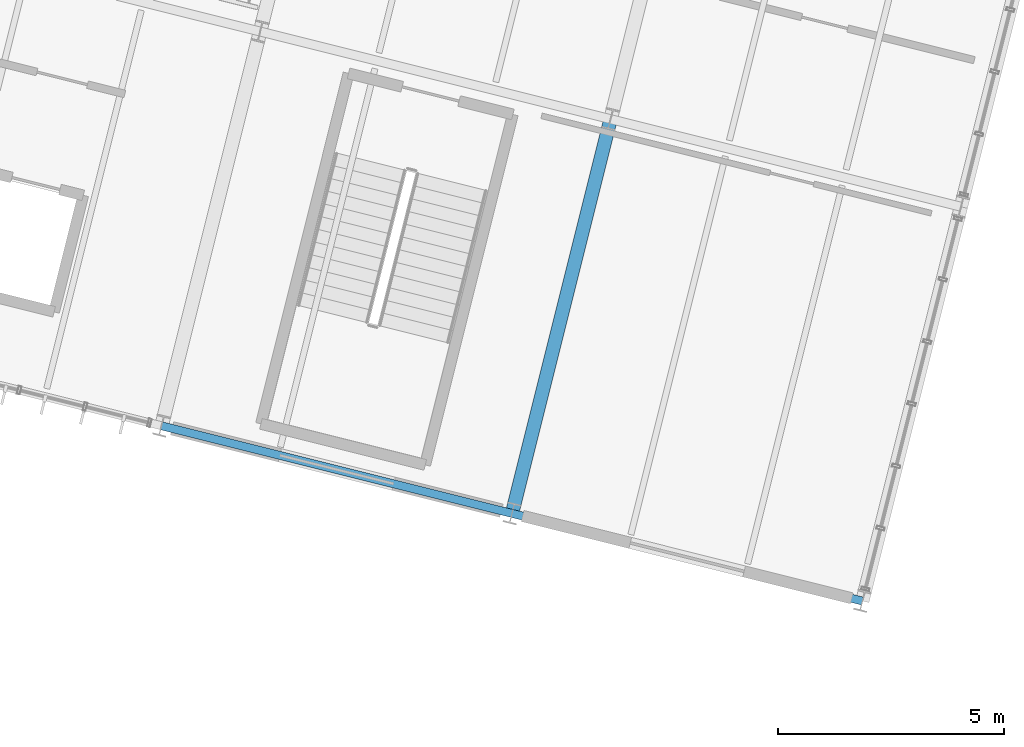
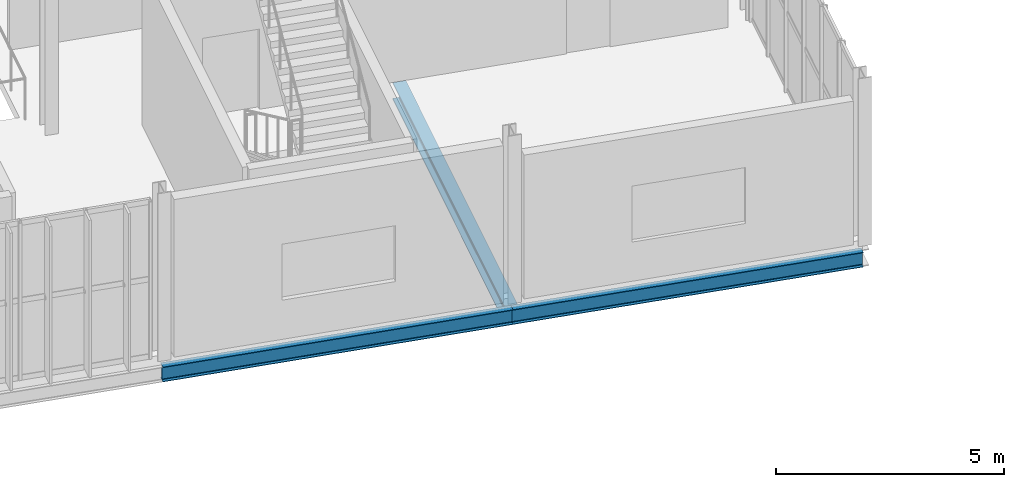
# One storey, part 95 of 152: 3 beams.
"""IFC4 building model written with IfcOpenShell, lengths in metres."""

from ifc_helpers import new_model, si_unit, derived_unit, direction, frame, origin, origin_2d, place, context, subcontext, project, spatial, i_section, extrude, material, material_profile, profile_set, type_object, element, save


model = new_model("IFC4")

# Units and contexts
model_context = context("Model", 3, precision=1e-05, world=origin(), true_north=direction((0.0, 1.0)))
body_context = subcontext(model_context, "Body", "Model", "MODEL_VIEW")
ifc_project = project(units=[si_unit("LENGTHUNIT", "METRE"), si_unit("AREAUNIT", "SQUARE_METRE"), si_unit("VOLUMEUNIT", "CUBIC_METRE"), si_unit("PLANEANGLEUNIT", "RADIAN"), si_unit("MASSUNIT", "GRAM", prefix="KILO"), si_unit("THERMODYNAMICTEMPERATUREUNIT", "KELVIN"), si_unit("TIMEUNIT", "SECOND"), derived_unit("THERMALTRANSMITTANCEUNIT", [(si_unit("MASSUNIT", "GRAM", prefix="KILO"), 1), (si_unit("THERMODYNAMICTEMPERATUREUNIT", "KELVIN"), -1), (si_unit("TIMEUNIT", "SECOND"), -3)])], contexts=[model_context])

# Site, building, storey
site_placement = place(None, origin())
site = spatial("IfcSite", under=ifc_project, at=site_placement, CompositionType="ELEMENT")
building_placement = place(site_placement, origin())
building = spatial("IfcBuilding", under=site, at=building_placement, Name="Cambertide Market Hall", CompositionType="ELEMENT")
storey_placement = place(building_placement, frame((0.0, 0.0, 5.39990234375)))
storey = spatial("IfcBuildingStorey", under=building, at=storey_placement, Name="L02", CompositionType="ELEMENT", Elevation=5.39990234375)

# Beams
ifc_material_1 = material(Name="Steel S355", Category="steel")
ifc_material_profile_1 = material_profile(ifc_material_1, i_section(OverallWidth=0.179931640625, OverallDepth=0.39990234375, WebThickness=0.008544921875, FlangeThickness=0.013427734375, FilletRadius=0.02099609375, at=origin_2d()), Name="IPE 400")
ifc_profile_set_1 = profile_set([ifc_material_profile_1], Name="Steel S355")
beam_type_1 = type_object("IfcBeamType", Name="Perimeter Spandrel Beam IPE 400", PredefinedType="SPANDREL", material=ifc_profile_set_1)
for number, where, z_axis, x_axis, name in (
    (1, (154.56689453125, 88.3583984375, -0.46484375), (0.970137114374, -0.242557167103, 0.0), (0.242557167103, 0.970137114374, 0.0), "Level 2 Spandrel BM-V4U-L02-7-1"),
    (2, (162.327880859375, 86.41796875, -0.46484375), (0.970146090314, -0.242521263911, 0.0), (0.242521263911, 0.970146090314, 0.0), "Level 2 Spandrel BM-V4U-L02-8-1"),
):
    element("IfcBeam", number, at=place(storey_placement, frame(where, z_axis=z_axis, x_axis=x_axis)), inside=storey, type_object=beam_type_1, Name=name, PredefinedType="SPANDREL", context=body_context, shape_type="SweptSolid", body=[
        extrude(i_section(OverallWidth=0.179931640625, OverallDepth=0.39990234375, WebThickness=0.008544921875, FlangeThickness=0.013427734375, FilletRadius=0.02099609375, at=origin_2d()), origin(), (0.0, 0.0, 1.0), 8.0),
    ])
ifc_material_2 = material(Name="Steel S355", Category="steel")
ifc_material_profile_2 = material_profile(ifc_material_2, i_section(OverallWidth=0.300048828125, OverallDepth=0.449951171875, WebThickness=0.013916015625, FlangeThickness=0.02587890625, FilletRadius=0.027099609375, at=origin_2d()), Name="HEB 450")
ifc_profile_set_2 = profile_set([ifc_material_profile_2], Name="Steel S355")
beam_type_2 = type_object("IfcBeamType", Name="Steel Girder HEB 450", PredefinedType="BEAM", material=ifc_profile_set_2)
beam_placement = place(storey_placement, frame((162.327880859375, 86.41796875, -0.489990234375), z_axis=(0.242542007841, 0.970140904422, 0.0), x_axis=(-0.970140904422, 0.242542007841, 0.0)))
element("IfcBeam", 3, at=beam_placement, inside=storey, type_object=beam_type_2, Name="Level 2 Beam BM-V4V-L02-8-1", PredefinedType="BEAM", context=body_context, shape_type="SweptSolid", body=[
    extrude(i_section(OverallWidth=0.300048828125, OverallDepth=0.449951171875, WebThickness=0.013916015625, FlangeThickness=0.02587890625, FilletRadius=0.027099609375, at=origin_2d()), origin(), (0.0, 0.0, 1.0), 9.0),
])

save(model, "model.ifc")
